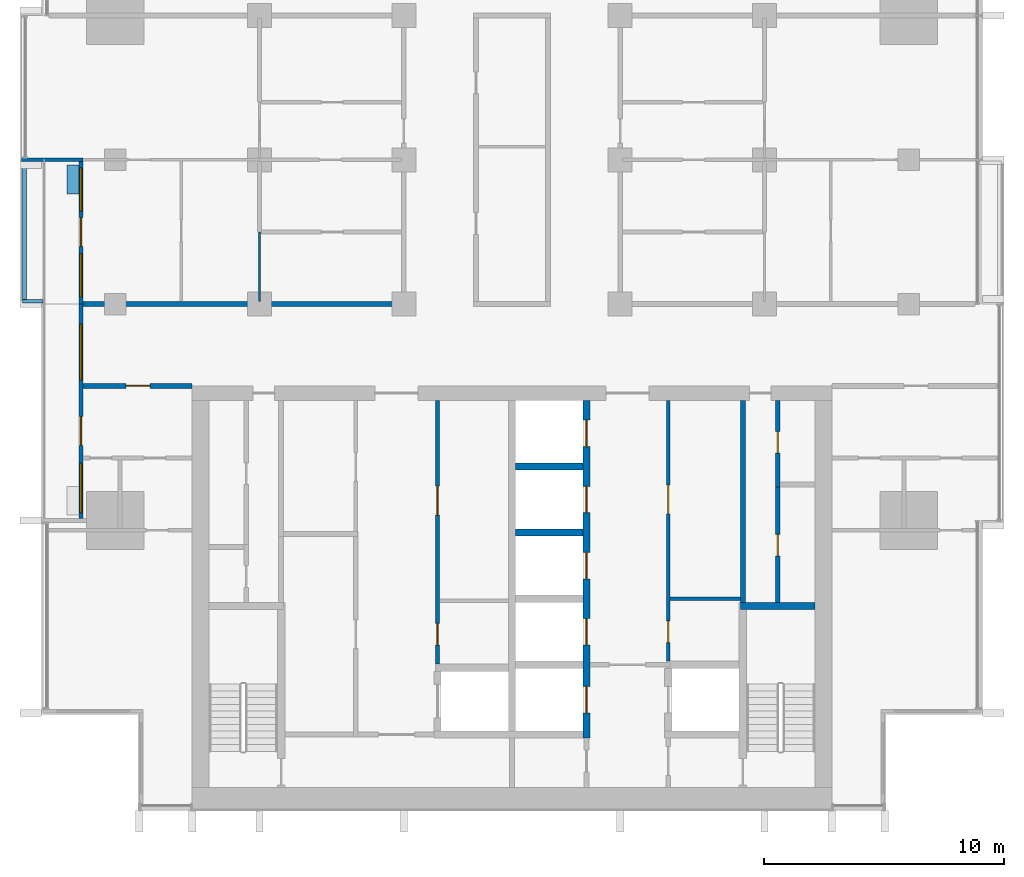
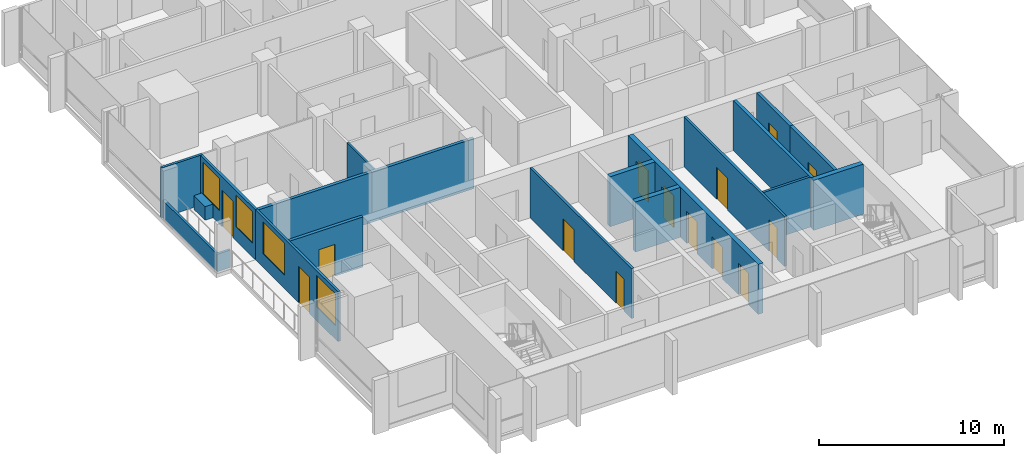
# One storey, part 8 of 17: 19 walls, 14 doors, 4 windows, 18 openings.
"""IFC4 building model written with IfcOpenShell, lengths in metres."""

from ifc_helpers import new_model, si_unit, direction, frame, frame_2d, origin, place, context, subcontext, project, spatial, rectangle, extrude, material, layer, layer_set, type_object, element, fill, save


model = new_model("IFC4")

# Units and contexts
model_context = context("Model", 3, precision=1e-05, world=origin(), true_north=direction((0.0, 1.0)))
body_context = subcontext(model_context, "Body", "Model", "MODEL_VIEW")
ifc_project = project(units=[si_unit("LENGTHUNIT", "METRE"), si_unit("AREAUNIT", "SQUARE_METRE"), si_unit("VOLUMEUNIT", "CUBIC_METRE"), si_unit("PLANEANGLEUNIT", "RADIAN"), si_unit("MASSUNIT", "GRAM", prefix="KILO")], contexts=[model_context])

# Site, building, storey
site_placement = place(None, origin())
site = spatial("IfcSite", under=ifc_project, at=site_placement, CompositionType="ELEMENT")
building_placement = place(site_placement, origin())
building = spatial("IfcBuilding", under=site, at=building_placement, Name="Finial Court Residences", CompositionType="ELEMENT")
storey_placement = place(building_placement, frame((0.0, 0.0, 174.5)))
storey = spatial("IfcBuildingStorey", under=building, at=storey_placement, Name="L43", CompositionType="ELEMENT", Elevation=174.5)

# Wall
ifc_material_1 = material(Name="Fire-rated gypsum board partition")
ifc_layer_1 = layer(ifc_material_1, 0.14990234375)
ifc_layer_set_1 = layer_set([ifc_layer_1], Name="Core room partition 150 EI 60")
wall_type_1 = type_object("IfcWallType", Name="Core room partition 150 EI 60", PredefinedType="PARTITIONING", material=ifc_layer_set_1)
wall_1_placement = place(storey_placement, frame((6.574951171875, -16.75, 0.0), z_axis=(0.0, 0.0, 1.0), x_axis=(1.0, 0.0, 0.0)))
element("IfcWall", 1, at=wall_1_placement, inside=storey, type_object=wall_type_1, Name="Core partition L43-13", PredefinedType="PARTITIONING", context=body_context, shape_type="SweptSolid", body=[
    extrude(rectangle(XDim=2.925048828125, YDim=0.14990234375, at=frame_2d((1.46240234375, 0.0))), origin(), (0.0, 0.0, 1.0), 3.300048828125),
])

# Wall, openings, doors
wall_2_placement = place(storey_placement, frame((-3.10009765625, -8.5, 0.0), z_axis=(0.0, 0.0, 1.0), x_axis=(0.0, -1.0, 0.0)))
wall_2 = element("IfcWall", 2, at=wall_2_placement, inside=storey, type_object=wall_type_1, Name="Core partition L43-27", PredefinedType="PARTITIONING", context=body_context, shape_type="SweptSolid", body=[
    extrude(rectangle(XDim=10.969970703125, YDim=0.14990234375, at=frame_2d((5.48486328125, 0.0))), origin(), (0.0, 0.0, 1.0), 3.300048828125),
])
opening_1_placement = place(wall_2_placement, frame((9.280029296875, 0.0, 0.0)))
opening_1 = element("IfcOpeningElement", 3, at=opening_1_placement, cuts=wall_2, Name="Opening L43-C15", PredefinedType="OPENING", context=body_context, shape_type="SweptSolid", body=[
    extrude(rectangle(XDim=0.89990234375, YDim=2.10009765625, at=frame_2d((0.449951171875, 1.050048828125))), frame((0.0, 0.0849609375, 0.0), z_axis=(0.0, -1.0, 0.0), x_axis=(1.0, 0.0, 0.0)), (0.0, 0.0, 1.0), 0.169921875),
])
opening_2_placement = place(wall_2_placement, frame((3.570068359375, 0.0, 0.0)))
opening_2 = element("IfcOpeningElement", 4, at=opening_2_placement, cuts=wall_2, Name="Opening L43-C16", PredefinedType="OPENING", context=body_context, shape_type="SweptSolid", body=[
    extrude(rectangle(XDim=1.199951171875, YDim=2.10009765625, at=frame_2d((0.60009765625, 1.050048828125))), frame((0.0, 0.0849609375, 0.0), z_axis=(0.0, -1.0, 0.0), x_axis=(1.0, 0.0, 0.0)), (0.0, 0.0, 1.0), 0.169921875),
])
ifc_material_2 = material(Name="Steel fire door", Category="steel")
door_type_1 = type_object("IfcDoorType", Name="Core room door 1200 x 2100 EI 60", OperationType="NOTDEFINED", PredefinedType="DOOR", material=ifc_material_2)
door_1_placement = place(opening_2_placement, origin())
door_1 = element("IfcDoor", 5, at=door_1_placement, inside=storey, type_object=door_type_1, Name="Core room door L43-C16", OperationType="SINGLE_SWING_RIGHT", OverallHeight=2.10009765625, OverallWidth=1.199951171875, PredefinedType="DOOR", context=body_context, shape_type="SweptSolid", body=[
    extrude(rectangle(XDim=1.199951171875, YDim=2.10009765625, at=frame_2d((0.60009765625, 1.050048828125))), frame((0.0, 0.02490234375, 0.0), z_axis=(0.0, -1.0, 0.0), x_axis=(1.0, 0.0, 0.0)), (0.0, 0.0, 1.0), 0.050048828125),
])
fill(opening_2, door_1)
door_type_2 = type_object("IfcDoorType", Name="Core room door 900 x 2100 EI 60", OperationType="NOTDEFINED", PredefinedType="DOOR", material=ifc_material_2)
door_2_placement = place(opening_1_placement, origin())
door_2 = element("IfcDoor", 6, at=door_2_placement, inside=storey, type_object=door_type_2, Name="Core room door L43-C15", OperationType="SINGLE_SWING_RIGHT", OverallHeight=2.10009765625, OverallWidth=0.89990234375, PredefinedType="DOOR", context=body_context, shape_type="SweptSolid", body=[
    extrude(rectangle(XDim=0.89990234375, YDim=2.10009765625, at=frame_2d((0.449951171875, 1.050048828125))), frame((0.0, 0.02490234375, 0.0), z_axis=(0.0, -1.0, 0.0), x_axis=(1.0, 0.0, 0.0)), (0.0, 0.0, 1.0), 0.050048828125),
])
fill(opening_1, door_2)

wall_3_placement = place(storey_placement, frame((6.5, -8.5, 0.0), z_axis=(0.0, 0.0, 1.0), x_axis=(0.0, -1.0, 0.0)))
wall_3 = element("IfcWall", 7, at=wall_3_placement, inside=storey, type_object=wall_type_1, Name="Core partition L43-34", PredefinedType="PARTITIONING", context=body_context, shape_type="SweptSolid", body=[
    extrude(rectangle(XDim=10.85009765625, YDim=0.14990234375, at=frame_2d((5.425048828125, 0.0))), origin(), (0.0, 0.0, 1.0), 3.300048828125),
])
opening_3_placement = place(wall_3_placement, frame((9.175048828125, 0.0, 0.0)))
opening_3 = element("IfcOpeningElement", 8, at=opening_3_placement, cuts=wall_3, Name="Opening L43-C17", PredefinedType="OPENING", context=body_context, shape_type="SweptSolid", body=[
    extrude(rectangle(XDim=0.89990234375, YDim=2.10009765625, at=frame_2d((0.449951171875, 1.050048828125))), frame((0.0, 0.0849609375, 0.0), z_axis=(0.0, -1.0, 0.0), x_axis=(1.0, 0.0, 0.0)), (0.0, 0.0, 1.0), 0.169921875),
])
opening_4_placement = place(wall_3_placement, frame((3.52490234375, 0.0, 0.0)))
opening_4 = element("IfcOpeningElement", 9, at=opening_4_placement, cuts=wall_3, Name="Opening L43-C18", PredefinedType="OPENING", context=body_context, shape_type="SweptSolid", body=[
    extrude(rectangle(XDim=1.199951171875, YDim=2.10009765625, at=frame_2d((0.60009765625, 1.050048828125))), frame((0.0, 0.0849609375, 0.0), z_axis=(0.0, -1.0, 0.0), x_axis=(1.0, 0.0, 0.0)), (0.0, 0.0, 1.0), 0.169921875),
])
door_3_placement = place(opening_4_placement, origin())
door_3 = element("IfcDoor", 10, at=door_3_placement, inside=storey, type_object=door_type_1, Name="Core room door L43-C18", OperationType="SINGLE_SWING_RIGHT", OverallHeight=2.10009765625, OverallWidth=1.199951171875, PredefinedType="DOOR", context=body_context, shape_type="SweptSolid", body=[
    extrude(rectangle(XDim=1.199951171875, YDim=2.10009765625, at=frame_2d((0.60009765625, 1.050048828125))), frame((0.0, 0.02490234375, 0.0), z_axis=(0.0, -1.0, 0.0), x_axis=(1.0, 0.0, 0.0)), (0.0, 0.0, 1.0), 0.050048828125),
])
fill(opening_4, door_3)
door_4_placement = place(opening_3_placement, origin())
door_4 = element("IfcDoor", 11, at=door_4_placement, inside=storey, type_object=door_type_2, Name="Core room door L43-C17", OperationType="SINGLE_SWING_RIGHT", OverallHeight=2.10009765625, OverallWidth=0.89990234375, PredefinedType="DOOR", context=body_context, shape_type="SweptSolid", body=[
    extrude(rectangle(XDim=0.89990234375, YDim=2.10009765625, at=frame_2d((0.449951171875, 1.050048828125))), frame((0.0, 0.02490234375, 0.0), z_axis=(0.0, -1.0, 0.0), x_axis=(1.0, 0.0, 0.0)), (0.0, 0.0, 1.0), 0.050048828125),
])
fill(opening_3, door_4)

# Wall, opening, door
ifc_material_3 = material(Name="Gypsum board")
ifc_layer_2 = layer(ifc_material_3, 0.02490234375)
ifc_material_4 = material(Name="Acoustic mineral wool in double frame")
ifc_layer_3 = layer(ifc_material_4, 0.14990234375)
ifc_layer_4 = layer(ifc_material_3, 0.02490234375)
ifc_layer_set_2 = layer_set([ifc_layer_2, ifc_layer_3, ifc_layer_4], Name="Corridor wall 200, 1 hour")
wall_type_2 = type_object("IfcWallType", Name="Corridor wall 200, 1 hour", PredefinedType="PARTITIONING", material=ifc_layer_set_2)
wall_4_placement = place(storey_placement, frame((-17.85009765625, -7.89990234375, 0.0), z_axis=(0.0, 0.0, 1.0), x_axis=(1.0, 0.0, 0.0)))
wall_4 = element("IfcWall", 12, at=wall_4_placement, inside=storey, type_object=wall_type_2, Name="Partition L43-004", PredefinedType="PARTITIONING", context=body_context, shape_type="SweptSolid", body=[
    extrude(rectangle(XDim=4.550048828125, YDim=0.199951171875, at=frame_2d((2.27490234375, 0.0))), origin(), (0.0, 0.0, 1.0), 3.300048828125),
])
opening_5_placement = place(wall_4_placement, frame((1.800048828125, 0.0, 0.0)))
opening_5 = element("IfcOpeningElement", 13, at=opening_5_placement, cuts=wall_4, Name="Opening L43-D007", PredefinedType="OPENING", context=body_context, shape_type="SweptSolid", body=[
    extrude(rectangle(XDim=1.0, YDim=2.10009765625, at=frame_2d((0.5, 1.050048828125))), frame((0.0, 0.10986328125, 0.0), z_axis=(0.0, -1.0, 0.0), x_axis=(1.0, 0.0, 0.0)), (0.0, 0.0, 1.0), 0.219970703125),
])
ifc_material_5 = material(Name="Timber door leaf in hollow metal frame", Category="wood")
door_type_3 = type_object("IfcDoorType", Name="Fire door set 1000 x 2100, 30 minutes", OperationType="SINGLE_SWING_LEFT", PredefinedType="DOOR", material=ifc_material_5)
door_5_placement = place(opening_5_placement, origin())
door_5 = element("IfcDoor", 14, at=door_5_placement, inside=storey, type_object=door_type_3, Name="Door L43-D007", OperationType="SINGLE_SWING_LEFT", OverallHeight=2.10009765625, OverallWidth=1.0, PredefinedType="DOOR", context=body_context, shape_type="SweptSolid", body=[
    extrude(rectangle(XDim=1.0, YDim=2.10009765625, at=frame_2d((0.5, 1.050048828125))), frame((0.0, 0.02490234375, 0.0), z_axis=(0.0, -1.0, 0.0), x_axis=(1.0, 0.0, 0.0)), (0.0, 0.0, 1.0), 0.050048828125),
])
fill(opening_5, door_5)

# Walls
wall_5_placement = place(storey_placement, frame((-17.85009765625, -4.5, 0.0), z_axis=(0.0, 0.0, 1.0), x_axis=(1.0, 0.0, 0.0)))
element("IfcWall", 15, at=wall_5_placement, inside=storey, type_object=wall_type_2, Name="Partition L43-006", PredefinedType="PARTITIONING", context=body_context, shape_type="SweptSolid", body=[
    extrude(rectangle(XDim=13.4501953125, YDim=0.199951171875, at=frame_2d((6.72509765625, 0.0))), origin(), (0.0, 0.0, 1.0), 3.300048828125),
])
ifc_layer_5 = layer(ifc_material_3, 0.012451171875)
ifc_material_6 = material(Name="Mineral wool in light-gauge frame")
ifc_layer_6 = layer(ifc_material_6, 0.074951171875)
ifc_layer_7 = layer(ifc_material_3, 0.012451171875)
ifc_layer_set_3 = layer_set([ifc_layer_5, ifc_layer_6, ifc_layer_7], Name="Gypsum board partition 100")
wall_type_3 = type_object("IfcWallType", Name="Gypsum board partition 100", PredefinedType="PARTITIONING", material=ifc_layer_set_3)
wall_6_placement = place(storey_placement, frame((-10.5, -4.39990234375, 0.0), z_axis=(0.0, 0.0, 1.0), x_axis=(0.0, 1.0, 0.0)))
element("IfcWall", 16, at=wall_6_placement, inside=storey, type_object=wall_type_3, Name="Partition L43-040", PredefinedType="PARTITIONING", context=body_context, shape_type="SweptSolid", body=[
    extrude(rectangle(XDim=2.89990234375, YDim=0.10009765625, at=frame_2d((1.449951171875, 0.0))), origin(), (0.0, 0.0, 1.0), 3.300048828125),
])
ifc_material_7 = material(Name="Concrete C35/45", Category="concrete")
ifc_layer_8 = layer(ifc_material_7, 0.14990234375)
ifc_layer_set_4 = layer_set([ifc_layer_8], Name="Ledge parapet, Concrete C35/45 150")
wall_type_4 = type_object("IfcWallType", Name="Ledge parapet, Concrete C35/45 150", PredefinedType="PARAPET", material=ifc_layer_set_4)
wall_7_placement = place(storey_placement, frame((-19.510009765625, -4.375, 0.0), z_axis=(0.0, 0.0, 1.0), x_axis=(-1.0, 0.0, 0.0)))
element("IfcWall", 17, at=wall_7_placement, inside=storey, type_object=wall_type_4, Name="E-L43-LED2-P1", PredefinedType="PARAPET", context=body_context, shape_type="SweptSolid", body=[
    extrude(rectangle(XDim=0.840087890625, YDim=0.14990234375, at=frame_2d((0.419921875, 0.0))), origin(), (0.0, 0.0, 1.0), 1.14990234375),
])
wall_8_placement = place(storey_placement, frame((-20.27490234375, -4.300048828125, 0.0), z_axis=(0.0, 0.0, 1.0), x_axis=(0.0, 1.0, 0.0)))
element("IfcWall", 18, at=wall_8_placement, inside=storey, type_object=wall_type_4, Name="E-L43-LED2-P2", PredefinedType="PARAPET", context=body_context, shape_type="SweptSolid", body=[
    extrude(rectangle(XDim=5.7900390625, YDim=0.14990234375, at=frame_2d((2.89501953125, 0.0))), origin(), (0.0, 0.0, 1.0), 1.14990234375),
])
ifc_material_8 = material(Name="Concrete C70/85", Category="concrete")
ifc_layer_9 = layer(ifc_material_8, 0.300048828125)
ifc_layer_set_5 = layer_set([ifc_layer_9], Name="Lift shaft and stair wall 300 Concrete C70/85")
wall_type_5 = type_object("IfcWallType", Name="Lift shaft and stair wall 300 Concrete C70/85", PredefinedType="SHEAR", material=ifc_layer_set_5)
wall_9_placement = place(storey_placement, frame((9.5, -17.050048828125, 0.0), z_axis=(0.0, 0.0, 1.0), x_axis=(1.0, 0.0, 0.0)))
element("IfcWall", 19, at=wall_9_placement, inside=storey, type_object=wall_type_5, Name="Core wall L43-10", PredefinedType="SHEAR", context=body_context, shape_type="SweptSolid", body=[
    extrude(rectangle(XDim=3.10009765625, YDim=0.300048828125, at=frame_2d((1.550048828125, 0.0))), origin(), (0.0, 0.0, 1.0), 3.300048828125),
])
for number, where, z_axis, x_axis, name in (
    (20, (0.14990234375, -14.0, 0.0), (0.0, 0.0, 1.0), (1.0, 0.0, 0.0), "Core wall L43-16"),
    (21, (0.14990234375, -11.25, 0.0), (0.0, 0.0, 1.0), (1.0, 0.0, 0.0), "Core wall L43-18"),
):
    element("IfcWall", number, at=place(storey_placement, frame(where, z_axis=z_axis, x_axis=x_axis)), inside=storey, type_object=wall_type_5, Name=name, PredefinedType="SHEAR", context=body_context, shape_type="SweptSolid", body=[
        extrude(rectangle(XDim=2.800048828125, YDim=0.300048828125, at=frame_2d((1.39990234375, 0.0))), origin(), (0.0, 0.0, 1.0), 3.300048828125),
    ])

# Wall, openings, doors
wall_10_placement = place(storey_placement, frame((3.10009765625, -22.550048828125, 0.0), z_axis=(0.0, 0.0, 1.0), x_axis=(0.0, 1.0, 0.0)))
wall_10 = element("IfcWall", 22, at=wall_10_placement, inside=storey, type_object=wall_type_5, Name="Core wall L43-31", PredefinedType="SHEAR", context=body_context, shape_type="SweptSolid", body=[
    extrude(rectangle(XDim=14.050048828125, YDim=0.300048828125, at=frame_2d((7.02490234375, 0.0))), origin(), (0.0, 0.0, 1.0), 3.300048828125),
])
opening_6_placement = place(wall_10_placement, frame((1.050048828125, 0.0, 0.0)))
opening_6 = element("IfcOpeningElement", 23, at=opening_6_placement, cuts=wall_10, Name="Opening L43-LD01", PredefinedType="OPENING", context=body_context, shape_type="SweptSolid", body=[
    extrude(rectangle(XDim=1.10009765625, YDim=2.10009765625, at=frame_2d((0.550048828125, 1.050048828125))), frame((0.0, 0.159912109375, 0.0), z_axis=(0.0, -1.0, 0.0), x_axis=(1.0, 0.0, 0.0)), (0.0, 0.0, 1.0), 0.320068359375),
])
opening_7_placement = place(wall_10_placement, frame((3.875, 0.0, 0.0)))
opening_7 = element("IfcOpeningElement", 24, at=opening_7_placement, cuts=wall_10, Name="Opening L43-LD03", PredefinedType="OPENING", context=body_context, shape_type="SweptSolid", body=[
    extrude(rectangle(XDim=1.10009765625, YDim=2.10009765625, at=frame_2d((0.550048828125, 1.050048828125))), frame((0.0, 0.159912109375, 0.0), z_axis=(0.0, -1.0, 0.0), x_axis=(1.0, 0.0, 0.0)), (0.0, 0.0, 1.0), 0.320068359375),
])
opening_8_placement = place(wall_10_placement, frame((6.625, 0.0, 0.0)))
opening_8 = element("IfcOpeningElement", 25, at=opening_8_placement, cuts=wall_10, Name="Opening L43-LD04", PredefinedType="OPENING", context=body_context, shape_type="SweptSolid", body=[
    extrude(rectangle(XDim=1.10009765625, YDim=2.10009765625, at=frame_2d((0.550048828125, 1.050048828125))), frame((0.0, 0.159912109375, 0.0), z_axis=(0.0, -1.0, 0.0), x_axis=(1.0, 0.0, 0.0)), (0.0, 0.0, 1.0), 0.320068359375),
])
opening_9_placement = place(wall_10_placement, frame((9.375, 0.0, 0.0)))
opening_9 = element("IfcOpeningElement", 26, at=opening_9_placement, cuts=wall_10, Name="Opening L43-LD05", PredefinedType="OPENING", context=body_context, shape_type="SweptSolid", body=[
    extrude(rectangle(XDim=1.10009765625, YDim=2.10009765625, at=frame_2d((0.550048828125, 1.050048828125))), frame((0.0, 0.159912109375, 0.0), z_axis=(0.0, -1.0, 0.0), x_axis=(1.0, 0.0, 0.0)), (0.0, 0.0, 1.0), 0.320068359375),
])
opening_10_placement = place(wall_10_placement, frame((12.125, 0.0, 0.0)))
opening_10 = element("IfcOpeningElement", 27, at=opening_10_placement, cuts=wall_10, Name="Opening L43-LD06", PredefinedType="OPENING", context=body_context, shape_type="SweptSolid", body=[
    extrude(rectangle(XDim=1.10009765625, YDim=2.10009765625, at=frame_2d((0.550048828125, 1.050048828125))), frame((0.0, 0.159912109375, 0.0), z_axis=(0.0, -1.0, 0.0), x_axis=(1.0, 0.0, 0.0)), (0.0, 0.0, 1.0), 0.320068359375),
])
ifc_material_9 = material(Name="Stainless steel lift door", Category="steel")
door_type_4 = type_object("IfcDoorType", Name="Lift landing door 1100 x 2100 EI 90", OperationType="DOUBLE_DOOR_SLIDING", PredefinedType="DOOR", material=ifc_material_9)
door_6_placement = place(opening_6_placement, origin())
door_6 = element("IfcDoor", 28, at=door_6_placement, inside=storey, type_object=door_type_4, Name="Lift landing door FF1 L43", OperationType="DOUBLE_DOOR_SLIDING", OverallHeight=2.10009765625, OverallWidth=1.10009765625, PredefinedType="DOOR", context=body_context, shape_type="SweptSolid", body=[
    extrude(rectangle(XDim=1.10009765625, YDim=2.10009765625, at=frame_2d((0.550048828125, 1.050048828125))), frame((0.0, 0.02490234375, 0.0), z_axis=(0.0, -1.0, 0.0), x_axis=(1.0, 0.0, 0.0)), (0.0, 0.0, 1.0), 0.050048828125),
])
fill(opening_6, door_6)
door_7_placement = place(opening_7_placement, origin())
door_7 = element("IfcDoor", 29, at=door_7_placement, inside=storey, type_object=door_type_4, Name="Lift landing door HR1 L43", OperationType="DOUBLE_DOOR_SLIDING", OverallHeight=2.10009765625, OverallWidth=1.10009765625, PredefinedType="DOOR", context=body_context, shape_type="SweptSolid", body=[
    extrude(rectangle(XDim=1.10009765625, YDim=2.10009765625, at=frame_2d((0.550048828125, 1.050048828125))), frame((0.0, 0.02490234375, 0.0), z_axis=(0.0, -1.0, 0.0), x_axis=(1.0, 0.0, 0.0)), (0.0, 0.0, 1.0), 0.050048828125),
])
fill(opening_7, door_7)
door_8_placement = place(opening_8_placement, origin())
door_8 = element("IfcDoor", 30, at=door_8_placement, inside=storey, type_object=door_type_4, Name="Lift landing door HR2 L43", OperationType="DOUBLE_DOOR_SLIDING", OverallHeight=2.10009765625, OverallWidth=1.10009765625, PredefinedType="DOOR", context=body_context, shape_type="SweptSolid", body=[
    extrude(rectangle(XDim=1.10009765625, YDim=2.10009765625, at=frame_2d((0.550048828125, 1.050048828125))), frame((0.0, 0.02490234375, 0.0), z_axis=(0.0, -1.0, 0.0), x_axis=(1.0, 0.0, 0.0)), (0.0, 0.0, 1.0), 0.050048828125),
])
fill(opening_8, door_8)
door_9_placement = place(opening_9_placement, origin())
door_9 = element("IfcDoor", 31, at=door_9_placement, inside=storey, type_object=door_type_4, Name="Lift landing door HR3 L43", OperationType="DOUBLE_DOOR_SLIDING", OverallHeight=2.10009765625, OverallWidth=1.10009765625, PredefinedType="DOOR", context=body_context, shape_type="SweptSolid", body=[
    extrude(rectangle(XDim=1.10009765625, YDim=2.10009765625, at=frame_2d((0.550048828125, 1.050048828125))), frame((0.0, 0.02490234375, 0.0), z_axis=(0.0, -1.0, 0.0), x_axis=(1.0, 0.0, 0.0)), (0.0, 0.0, 1.0), 0.050048828125),
])
fill(opening_9, door_9)
door_10_placement = place(opening_10_placement, origin())
door_10 = element("IfcDoor", 32, at=door_10_placement, inside=storey, type_object=door_type_4, Name="Lift landing door HR4 L43", OperationType="DOUBLE_DOOR_SLIDING", OverallHeight=2.10009765625, OverallWidth=1.10009765625, PredefinedType="DOOR", context=body_context, shape_type="SweptSolid", body=[
    extrude(rectangle(XDim=1.10009765625, YDim=2.10009765625, at=frame_2d((0.550048828125, 1.050048828125))), frame((0.0, 0.02490234375, 0.0), z_axis=(0.0, -1.0, 0.0), x_axis=(1.0, 0.0, 0.0)), (0.0, 0.0, 1.0), 0.050048828125),
])
fill(opening_10, door_10)

# Wall, openings, door, windows
ifc_material_10 = material(Name="Natural limestone", Category="masonry")
ifc_layer_10 = layer(ifc_material_10, 0.14990234375)
ifc_layer_set_6 = layer_set([ifc_layer_10], Name="Limestone clad wall 150")
wall_type_6 = type_object("IfcWallType", Name="Limestone clad wall 150", PredefinedType="SOLIDWALL", material=ifc_layer_set_6)
wall_11_placement = place(storey_placement, frame((-17.925048828125, -13.425048828125, 0.0), z_axis=(0.0, 0.0, 1.0), x_axis=(0.0, 1.0, 0.0)))
wall_11 = element("IfcWall", 33, at=wall_11_placement, inside=storey, type_object=wall_type_6, Name="E-L43-L43-BALW2-W", PredefinedType="SOLIDWALL", context=body_context, shape_type="SweptSolid", body=[
    extrude(rectangle(XDim=8.925048828125, YDim=0.14990234375, at=frame_2d((4.46240234375, 0.0))), origin(), (0.0, 0.0, 1.0), 3.300048828125),
])
opening_11_placement = place(wall_11_placement, frame((3.050048828125, 0.0, 0.0)))
opening_11 = element("IfcOpeningElement", 34, at=opening_11_placement, cuts=wall_11, Name="Opening DE43-01", PredefinedType="OPENING", context=body_context, shape_type="SweptSolid", body=[
    extrude(rectangle(XDim=1.199951171875, YDim=2.39990234375, at=frame_2d((0.60009765625, 1.199951171875))), frame((0.0, 0.0849609375, 0.0), z_axis=(0.0, -1.0, 0.0), x_axis=(1.0, 0.0, 0.0)), (0.0, 0.0, 1.0), 0.169921875),
])
opening_12_placement = place(wall_11_placement, frame((0.25, 0.0, 0.89990234375)))
opening_12 = element("IfcOpeningElement", 35, at=opening_12_placement, cuts=wall_11, Name="Opening WE43-11", PredefinedType="OPENING", context=body_context, shape_type="SweptSolid", body=[
    extrude(rectangle(XDim=2.050048828125, YDim=2.10009765625, at=frame_2d((1.02490234375, 1.050048828125))), frame((0.0, 0.0849609375, 0.0), z_axis=(0.0, -1.0, 0.0), x_axis=(1.0, 0.0, 0.0)), (0.0, 0.0, 1.0), 0.169921875),
])
opening_13_placement = place(wall_11_placement, frame((5.775390625, 0.0, 0.89990234375)))
opening_13 = element("IfcOpeningElement", 36, at=opening_13_placement, cuts=wall_11, Name="Opening WE43-12", PredefinedType="OPENING", context=body_context, shape_type="SweptSolid", body=[
    extrude(rectangle(XDim=2.31201171875, YDim=2.10009765625, at=frame_2d((1.156005859375, 1.050048828125))), frame((0.0, 0.0849609375, 0.0), z_axis=(0.0, -1.0, 0.0), x_axis=(1.0, 0.0, 0.0)), (0.0, 0.0, 1.0), 0.169921875),
])
ifc_material_11 = material(Name="Bronze anodised aluminium", Category="aluminium")
door_type_5 = type_object("IfcDoorType", Name="Balcony door 1200 x 2400", OperationType="SINGLE_SWING_LEFT", PredefinedType="DOOR", material=ifc_material_11)
door_11_placement = place(opening_11_placement, origin())
door_11 = element("IfcDoor", 37, at=door_11_placement, inside=storey, type_object=door_type_5, Name="E-L43-L43-BALW2-W-D", OperationType="SINGLE_SWING_LEFT", OverallHeight=2.39990234375, OverallWidth=1.199951171875, PredefinedType="DOOR", context=body_context, shape_type="SweptSolid", body=[
    extrude(rectangle(XDim=1.199951171875, YDim=2.39990234375, at=frame_2d((0.60009765625, 1.199951171875))), frame((0.0, 0.02490234375, 0.0), z_axis=(0.0, -1.0, 0.0), x_axis=(1.0, 0.0, 0.0)), (0.0, 0.0, 1.0), 0.050048828125),
])
fill(opening_11, door_11)
ifc_material_12 = material(Name="Clear low-e glass", Category="glass")
window_type_1 = type_object("IfcWindowType", Name="Balcony window 2050 x 2100", PartitioningType="SINGLE_PANEL", PredefinedType="WINDOW", material=ifc_material_12)
window_1_placement = place(opening_12_placement, origin())
window_1 = element("IfcWindow", 38, at=window_1_placement, inside=storey, type_object=window_type_1, Name="E-L43-L43-BALW2-W-W1", OverallHeight=2.10009765625, OverallWidth=2.050048828125, PartitioningType="SINGLE_PANEL", PredefinedType="WINDOW", context=body_context, shape_type="SweptSolid", body=[
    extrude(rectangle(XDim=2.050048828125, YDim=2.10009765625, at=frame_2d((1.02490234375, 1.050048828125))), frame((0.0, 0.030029296875, 0.0), z_axis=(0.0, -1.0, 0.0), x_axis=(1.0, 0.0, 0.0)), (0.0, 0.0, 1.0), 0.06005859375),
])
fill(opening_12, window_1)
window_type_2 = type_object("IfcWindowType", Name="Balcony window 2312 x 2100", PartitioningType="SINGLE_PANEL", PredefinedType="WINDOW", material=ifc_material_12)
window_2_placement = place(opening_13_placement, origin())
window_2 = element("IfcWindow", 39, at=window_2_placement, inside=storey, type_object=window_type_2, Name="E-L43-L43-BALW2-W-W2", OverallHeight=2.10009765625, OverallWidth=2.31201171875, PartitioningType="SINGLE_PANEL", PredefinedType="WINDOW", context=body_context, shape_type="SweptSolid", body=[
    extrude(rectangle(XDim=2.31201171875, YDim=2.10009765625, at=frame_2d((1.156005859375, 1.050048828125))), frame((0.0, 0.030029296875, 0.0), z_axis=(0.0, -1.0, 0.0), x_axis=(1.0, 0.0, 0.0)), (0.0, 0.0, 1.0), 0.06005859375),
])
fill(opening_13, window_2)

# Wall
wall_12_placement = place(storey_placement, frame((-17.85009765625, 1.5, 0.0), z_axis=(0.0, 0.0, 1.0), x_axis=(-1.0, 0.0, 0.0)))
element("IfcWall", 40, at=wall_12_placement, inside=storey, type_object=wall_type_6, Name="E-L43-BALW3-P2", PredefinedType="SOLIDWALL", context=body_context, shape_type="SweptSolid", body=[
    extrude(rectangle(XDim=2.5498046875, YDim=0.14990234375, at=frame_2d((1.27490234375, 0.0))), origin(), (0.0, 0.0, 1.0), 3.300048828125),
])

# Wall, openings, door, windows
wall_13_placement = place(storey_placement, frame((-17.925048828125, -4.5, 0.0), z_axis=(0.0, 0.0, 1.0), x_axis=(0.0, 1.0, 0.0)))
wall_13 = element("IfcWall", 41, at=wall_13_placement, inside=storey, type_object=wall_type_6, Name="E-L43-L43-BALW3-W", PredefinedType="SOLIDWALL", context=body_context, shape_type="SweptSolid", body=[
    extrude(rectangle(XDim=5.925048828125, YDim=0.14990234375, at=frame_2d((2.96240234375, 0.0))), origin(), (0.0, 0.0, 1.0), 3.300048828125),
])
opening_14_placement = place(wall_13_placement, frame((2.39990234375, 0.0, 0.0)))
opening_14 = element("IfcOpeningElement", 42, at=opening_14_placement, cuts=wall_13, Name="Opening DE43-02", PredefinedType="OPENING", context=body_context, shape_type="SweptSolid", body=[
    extrude(rectangle(XDim=1.199951171875, YDim=2.39990234375, at=frame_2d((0.60009765625, 1.199951171875))), frame((0.0, 0.0849609375, 0.0), z_axis=(0.0, -1.0, 0.0), x_axis=(1.0, 0.0, 0.0)), (0.0, 0.0, 1.0), 0.169921875),
])
opening_15_placement = place(wall_13_placement, frame((0.300048828125, 0.0, 0.89990234375)))
opening_15 = element("IfcOpeningElement", 43, at=opening_15_placement, cuts=wall_13, Name="Opening WE43-13", PredefinedType="OPENING", context=body_context, shape_type="SweptSolid", body=[
    extrude(rectangle(XDim=1.800048828125, YDim=2.10009765625, at=frame_2d((0.89990234375, 1.050048828125))), frame((0.0, 0.0849609375, 0.0), z_axis=(0.0, -1.0, 0.0), x_axis=(1.0, 0.0, 0.0)), (0.0, 0.0, 1.0), 0.169921875),
])
opening_16_placement = place(wall_13_placement, frame((3.862548828125, 0.0, 0.89990234375)))
opening_16 = element("IfcOpeningElement", 44, at=opening_16_placement, cuts=wall_13, Name="Opening WE43-14", PredefinedType="OPENING", context=body_context, shape_type="SweptSolid", body=[
    extrude(rectangle(XDim=1.800048828125, YDim=2.10009765625, at=frame_2d((0.89990234375, 1.050048828125))), frame((0.0, 0.0849609375, 0.0), z_axis=(0.0, -1.0, 0.0), x_axis=(1.0, 0.0, 0.0)), (0.0, 0.0, 1.0), 0.169921875),
])
door_12_placement = place(opening_14_placement, origin())
door_12 = element("IfcDoor", 45, at=door_12_placement, inside=storey, type_object=door_type_5, Name="E-L43-L43-BALW3-W-D", OperationType="SINGLE_SWING_RIGHT", OverallHeight=2.39990234375, OverallWidth=1.199951171875, PredefinedType="DOOR", context=body_context, shape_type="SweptSolid", body=[
    extrude(rectangle(XDim=1.199951171875, YDim=2.39990234375, at=frame_2d((0.60009765625, 1.199951171875))), frame((0.0, 0.02490234375, 0.0), z_axis=(0.0, -1.0, 0.0), x_axis=(1.0, 0.0, 0.0)), (0.0, 0.0, 1.0), 0.050048828125),
])
fill(opening_14, door_12)
window_type_3 = type_object("IfcWindowType", Name="Balcony window 1800 x 2100", PartitioningType="SINGLE_PANEL", PredefinedType="WINDOW", material=ifc_material_12)
window_3_placement = place(opening_15_placement, origin())
window_3 = element("IfcWindow", 46, at=window_3_placement, inside=storey, type_object=window_type_3, Name="E-L43-L43-BALW3-W-W1", OverallHeight=2.10009765625, OverallWidth=1.800048828125, PartitioningType="SINGLE_PANEL", PredefinedType="WINDOW", context=body_context, shape_type="SweptSolid", body=[
    extrude(rectangle(XDim=1.800048828125, YDim=2.10009765625, at=frame_2d((0.89990234375, 1.050048828125))), frame((0.0, 0.030029296875, 0.0), z_axis=(0.0, -1.0, 0.0), x_axis=(1.0, 0.0, 0.0)), (0.0, 0.0, 1.0), 0.06005859375),
])
fill(opening_15, window_3)
window_4_placement = place(opening_16_placement, origin())
window_4 = element("IfcWindow", 47, at=window_4_placement, inside=storey, type_object=window_type_3, Name="E-L43-L43-BALW3-W-W2", OverallHeight=2.10009765625, OverallWidth=1.800048828125, PartitioningType="SINGLE_PANEL", PredefinedType="WINDOW", context=body_context, shape_type="SweptSolid", body=[
    extrude(rectangle(XDim=1.800048828125, YDim=2.10009765625, at=frame_2d((0.89990234375, 1.050048828125))), frame((0.0, 0.030029296875, 0.0), z_axis=(0.0, -1.0, 0.0), x_axis=(1.0, 0.0, 0.0)), (0.0, 0.0, 1.0), 0.06005859375),
])
fill(opening_16, window_4)

# Wall
ifc_material_13 = material(Name="Concrete C40/50", Category="concrete")
ifc_layer_11 = layer(ifc_material_13, 0.10009765625)
ifc_material_14 = material(Name="Planting soil", Category="soil")
ifc_layer_12 = layer(ifc_material_14, 0.300048828125)
ifc_layer_13 = layer(ifc_material_13, 0.10009765625)
ifc_layer_set_7 = layer_set([ifc_layer_11, ifc_layer_12, ifc_layer_13], Name="Planter wall, balcony")
wall_type_7 = type_object("IfcWallType", Name="Planter wall, balcony", PredefinedType="USERDEFINED", material=ifc_layer_set_7)
wall_14_placement = place(storey_placement, frame((-18.25, 0.074951171875, 0.0), z_axis=(0.0, 0.0, 1.0), x_axis=(0.0, 1.0, 0.0)))
element("IfcWall", 48, at=wall_14_placement, inside=storey, type_object=wall_type_7, Name="E-L43-BALW3-PL", ObjectType="PLANTER", PredefinedType="USERDEFINED", context=body_context, shape_type="SweptSolid", body=[
    extrude(rectangle(XDim=1.199951171875, YDim=0.5, at=frame_2d((0.60009765625, 0.0))), origin(), (0.0, 0.0, 1.0), 0.89990234375),
])

# Wall, opening, door
ifc_layer_14 = layer(ifc_material_1, 0.199951171875)
ifc_layer_set_8 = layer_set([ifc_layer_14], Name="Riser room wall 200 EI 120")
wall_type_8 = type_object("IfcWallType", Name="Riser room wall 200 EI 120", PredefinedType="PARTITIONING", material=ifc_layer_set_8)
wall_15_placement = place(storey_placement, frame((11.050048828125, -8.5, 0.0), z_axis=(0.0, 0.0, 1.0), x_axis=(0.0, -1.0, 0.0)))
wall_15 = element("IfcWall", 49, at=wall_15_placement, inside=storey, type_object=wall_type_8, Name="Core partition L43-38", PredefinedType="PARTITIONING", context=body_context, shape_type="SweptSolid", body=[
    extrude(rectangle(XDim=3.60009765625, YDim=0.199951171875, at=frame_2d((1.800048828125, 0.0))), origin(), (0.0, 0.0, 1.0), 3.300048828125),
])
opening_17_placement = place(wall_15_placement, frame((1.300048828125, 0.0, 0.0)))
opening_17 = element("IfcOpeningElement", 50, at=opening_17_placement, cuts=wall_15, Name="Opening L43-C08", PredefinedType="OPENING", context=body_context, shape_type="SweptSolid", body=[
    extrude(rectangle(XDim=0.89990234375, YDim=2.10009765625, at=frame_2d((0.449951171875, 1.050048828125))), frame((0.0, 0.10986328125, 0.0), z_axis=(0.0, -1.0, 0.0), x_axis=(1.0, 0.0, 0.0)), (0.0, 0.0, 1.0), 0.219970703125),
])
door_type_6 = type_object("IfcDoorType", Name="Riser room door 900 x 2100 EI 90", OperationType="NOTDEFINED", PredefinedType="DOOR", material=ifc_material_2)
door_13_placement = place(opening_17_placement, origin())
door_13 = element("IfcDoor", 51, at=door_13_placement, inside=storey, type_object=door_type_6, Name="Riser room door L43-C08", OperationType="SINGLE_SWING_RIGHT", OverallHeight=2.10009765625, OverallWidth=0.89990234375, PredefinedType="DOOR", context=body_context, shape_type="SweptSolid", body=[
    extrude(rectangle(XDim=0.89990234375, YDim=2.10009765625, at=frame_2d((0.449951171875, 1.050048828125))), frame((0.0, 0.02490234375, 0.0), z_axis=(0.0, -1.0, 0.0), x_axis=(1.0, 0.0, 0.0)), (0.0, 0.0, 1.0), 0.050048828125),
])
fill(opening_17, door_13)

# Wall
ifc_layer_15 = layer(ifc_material_1, 0.199951171875)
ifc_layer_set_9 = layer_set([ifc_layer_15], Name="Stair passage wall 200 EI 180")
wall_type_9 = type_object("IfcWallType", Name="Stair passage wall 200 EI 180", PredefinedType="PARTITIONING", material=ifc_layer_set_9)
wall_16_placement = place(storey_placement, frame((9.60009765625, -16.89990234375, 0.0), z_axis=(0.0, 0.0, 1.0), x_axis=(0.0, 1.0, 0.0)))
element("IfcWall", 52, at=wall_16_placement, inside=storey, type_object=wall_type_9, Name="Core partition L43-36", PredefinedType="PARTITIONING", context=body_context, shape_type="SweptSolid", body=[
    extrude(rectangle(XDim=8.39990234375, YDim=0.199951171875, at=frame_2d((4.199951171875, 0.0))), origin(), (0.0, 0.0, 1.0), 3.300048828125),
])

# Wall, opening, door
wall_17_placement = place(storey_placement, frame((11.050048828125, -11.89990234375, 0.0), z_axis=(0.0, 0.0, 1.0), x_axis=(0.0, -1.0, 0.0)))
wall_17 = element("IfcWall", 53, at=wall_17_placement, inside=storey, type_object=wall_type_9, Name="Core partition L43-37", PredefinedType="PARTITIONING", context=body_context, shape_type="SweptSolid", body=[
    extrude(rectangle(XDim=5.0, YDim=0.199951171875, at=frame_2d((2.5, 0.0))), origin(), (0.0, 0.0, 1.0), 3.300048828125),
])
opening_18_placement = place(wall_17_placement, frame((2.175048828125, 0.0, 0.0)))
opening_18 = element("IfcOpeningElement", 54, at=opening_18_placement, cuts=wall_17, Name="Opening L43-C13", PredefinedType="OPENING", context=body_context, shape_type="SweptSolid", body=[
    extrude(rectangle(XDim=0.89990234375, YDim=2.10009765625, at=frame_2d((0.449951171875, 1.050048828125))), frame((0.0, 0.10986328125, 0.0), z_axis=(0.0, -1.0, 0.0), x_axis=(1.0, 0.0, 0.0)), (0.0, 0.0, 1.0), 0.219970703125),
])
door_14_placement = place(opening_18_placement, origin())
door_14 = element("IfcDoor", 55, at=door_14_placement, inside=storey, type_object=door_type_2, Name="Core room door L43-C13", OperationType="SINGLE_SWING_RIGHT", OverallHeight=2.10009765625, OverallWidth=0.89990234375, PredefinedType="DOOR", context=body_context, shape_type="SweptSolid", body=[
    extrude(rectangle(XDim=0.89990234375, YDim=2.10009765625, at=frame_2d((0.449951171875, 1.050048828125))), frame((0.0, 0.02490234375, 0.0), z_axis=(0.0, -1.0, 0.0), x_axis=(1.0, 0.0, 0.0)), (0.0, 0.0, 1.0), 0.050048828125),
])
fill(opening_18, door_14)

save(model, "model.ifc")
